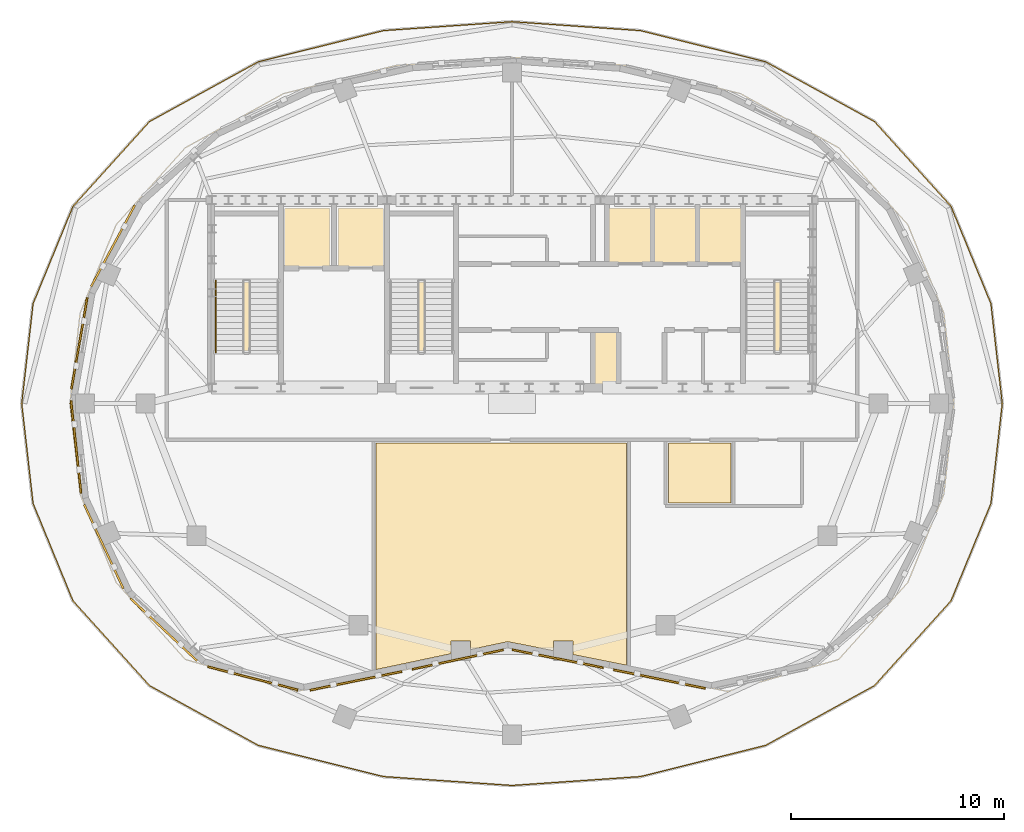
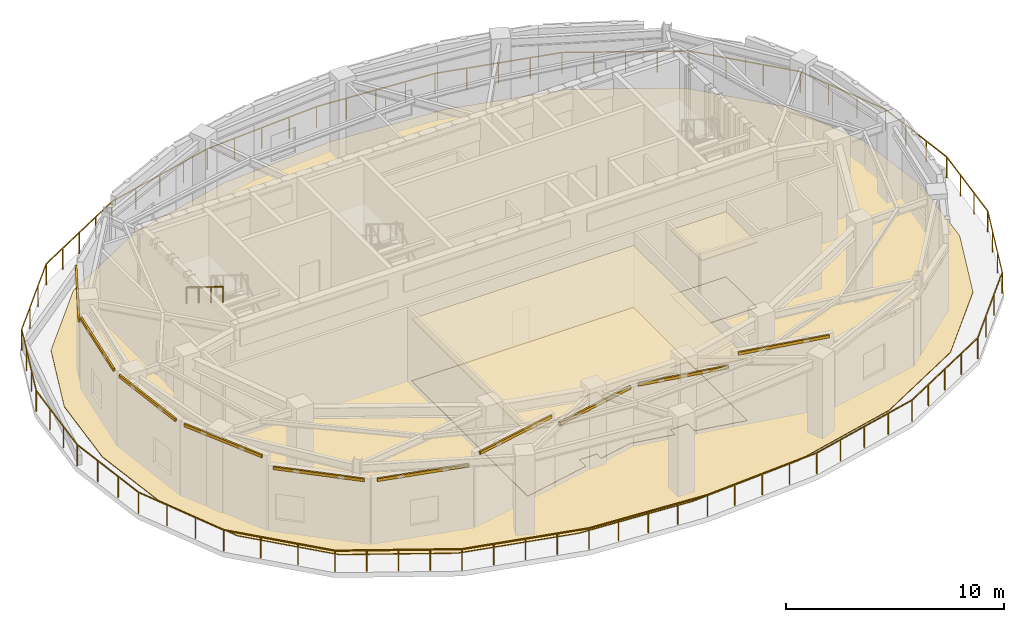
# One storey, part 6 of 8: 15 coverings, 2 railings.
"""IFC4 building model written with IfcOpenShell, lengths in metres."""

from ifc_helpers import new_model, si_unit, direction, frame, origin, origin_2d, place, context, subcontext, project, spatial, polyline, rectangle, outline, extrude, material, layer, layer_set, type_object, element, save


model = new_model("IFC4")

# Units and contexts
model_context = context("Model", 3, precision=1e-05, world=origin(), true_north=direction((0.0, 1.0)))
body_context = subcontext(model_context, "Body", "Model", "MODEL_VIEW")
ifc_project = project(units=[si_unit("LENGTHUNIT", "METRE"), si_unit("AREAUNIT", "SQUARE_METRE"), si_unit("VOLUMEUNIT", "CUBIC_METRE"), si_unit("PLANEANGLEUNIT", "RADIAN"), si_unit("MASSUNIT", "GRAM", prefix="KILO")], contexts=[model_context])

# Site, building, storey
site_placement = place(None, origin())
site = spatial("IfcSite", under=ifc_project, at=site_placement, CompositionType="ELEMENT")
building_placement = place(site_placement, origin())
building = spatial("IfcBuilding", under=site, at=building_placement, Name="Haldorwick Loom Tower", CompositionType="ELEMENT")
storey_placement = place(building_placement, frame((0.0, 0.0, 291.5)))
storey = spatial("IfcBuildingStorey", under=building, at=storey_placement, Name="L78", CompositionType="ELEMENT", Elevation=291.5)

# Coverings
ifc_material_1 = material(Name="Corbelled Pressed Clay Face Brick Veneer", Category="masonry")
ifc_layer_1 = layer(ifc_material_1, 0.090087890625, Name="Corbelled Pressed Clay Face Brick Veneer", Category="masonry")
ifc_layer_set_1 = layer_set([ifc_layer_1], Name="Corbelled Pressed Clay Face Brick Veneer")
covering_type_1 = type_object("IfcCoveringType", Name="ARC-COV-BRICK090", PredefinedType="CLADDING", material=ifc_layer_set_1)
covering_1_placement = place(storey_placement, frame((0.0, 0.0, 3.569091796875)))
element("IfcCovering", 1, at=covering_1_placement, inside=storey, type_object=covering_type_1, Name="L78 Head Face-Brick Lintel Band 11", PredefinedType="CLADDING", context=body_context, shape_type="SweptSolid", body=[
    extrude(outline(polyline([(18.265869140625, 35.324951171875), (16.218017578125, 31.5166015625), (16.297119140625, 31.47412109375), (18.34521484375, 35.2822265625), (18.265869140625, 35.324951171875)])), origin(), (0.0, 0.0, 1.0), 0.159912109375),
])
covering_2_placement = place(storey_placement, frame((0.0, 0.0, 4.06005859375)))
element("IfcCovering", 2, at=covering_2_placement, inside=storey, type_object=covering_type_1, Name="L78 Head Face-Brick Lintel Band 12", PredefinedType="CLADDING", context=body_context, shape_type="SweptSolid", body=[
    extrude(outline(polyline([(16.03271484375, 30.980712890625), (15.28857421875, 26.68994140625), (15.377197265625, 26.674560546875), (16.121337890625, 30.965087890625), (16.03271484375, 30.980712890625)])), origin(), (0.0, 0.0, 1.0), 0.159912109375),
])
covering_3_placement = place(storey_placement, frame((0.0, 0.0, 4.06005859375)))
element("IfcCovering", 3, at=covering_3_placement, inside=storey, type_object=covering_type_1, Name="L78 Head Face-Brick Lintel Band 13", PredefinedType="CLADDING", context=body_context, shape_type="SweptSolid", body=[
    extrude(outline(polyline([(15.2705078125, 26.131103515625), (15.738037109375, 21.78955078125), (15.827392578125, 21.79931640625), (15.360107421875, 26.140625), (15.2705078125, 26.131103515625)])), origin(), (0.0, 0.0, 1.0), 0.159912109375),
])
covering_4_placement = place(storey_placement, frame((0.0, 0.0, 4.06005859375)))
element("IfcCovering", 4, at=covering_4_placement, inside=storey, type_object=covering_type_1, Name="L78 Head Face-Brick Lintel Band 14", PredefinedType="CLADDING", context=body_context, shape_type="SweptSolid", body=[
    extrude(outline(polyline([(15.890380859375, 21.241943359375), (17.727294921875, 17.297607421875), (17.808837890625, 17.335693359375), (15.97216796875, 21.280029296875), (15.890380859375, 21.241943359375)])), origin(), (0.0, 0.0, 1.0), 0.159912109375),
])
covering_5_placement = place(storey_placement, frame((0.0, 0.0, 3.569091796875)))
element("IfcCovering", 5, at=covering_5_placement, inside=storey, type_object=covering_type_1, Name="L78 Head Face-Brick Lintel Band 15", PredefinedType="CLADDING", context=body_context, shape_type="SweptSolid", body=[
    extrude(outline(polyline([(18.066650390625, 16.829345703125), (21.196044921875, 13.898193359375), (21.257568359375, 13.9638671875), (18.128173828125, 16.89501953125), (18.066650390625, 16.829345703125)])), origin(), (0.0, 0.0, 1.0), 0.159912109375),
])
covering_6_placement = place(storey_placement, frame((0.0, 0.0, 3.569091796875)))
element("IfcCovering", 6, at=covering_6_placement, inside=storey, type_object=covering_type_1, Name="L78 Head Face-Brick Lintel Band 16", PredefinedType="CLADDING", context=body_context, shape_type="SweptSolid", body=[
    extrude(outline(polyline([(21.720703125, 13.6103515625), (25.9453125, 12.5263671875), (25.967529296875, 12.613525390625), (21.7431640625, 13.697509765625), (21.720703125, 13.6103515625)])), origin(), (0.0, 0.0, 1.0), 0.159912109375),
])
covering_7_placement = place(storey_placement, frame((0.0, 0.0, 4.06005859375)))
element("IfcCovering", 7, at=covering_7_placement, inside=storey, type_object=covering_type_1, Name="L78 Head Face-Brick Lintel Band 17", PredefinedType="CLADDING", context=body_context, shape_type="SweptSolid", body=[
    extrude(outline(polyline([(26.535400390625, 12.511474609375), (30.84033203125, 13.38818359375), (30.822509765625, 13.4765625), (26.517333984375, 12.599609375), (26.535400390625, 12.511474609375)])), origin(), (0.0, 0.0, 1.0), 0.159912109375),
])
covering_8_placement = place(storey_placement, frame((0.0, 0.0, 3.4189453125)))
element("IfcCovering", 8, at=covering_8_placement, inside=storey, type_object=covering_type_1, Name="L78 Head Face-Brick Lintel Band 18", PredefinedType="CLADDING", context=body_context, shape_type="SweptSolid", body=[
    extrude(outline(polyline([(31.33203125, 13.490966796875), (35.605712890625, 14.40576171875), (35.5869140625, 14.49365234375), (31.313232421875, 13.5791015625), (31.33203125, 13.490966796875)])), origin(), (0.0, 0.0, 1.0), 0.16015625),
])
covering_9_placement = place(storey_placement, frame((0.0, 0.0, 3.4189453125)))
element("IfcCovering", 9, at=covering_9_placement, inside=storey, type_object=covering_type_1, Name="L78 Head Face-Brick Lintel Band 19", PredefinedType="CLADDING", context=body_context, shape_type="SweptSolid", body=[
    extrude(outline(polyline([(36.0029296875, 14.408935546875), (40.272216796875, 13.567626953125), (40.289794921875, 13.656005859375), (36.020263671875, 14.497314453125), (36.0029296875, 14.408935546875)])), origin(), (0.0, 0.0, 1.0), 0.16015625),
])
covering_10_placement = place(storey_placement, frame((0.0, 0.0, 4.06005859375)))
element("IfcCovering", 10, at=covering_10_placement, inside=storey, type_object=covering_type_1, Name="L78 Head Face-Brick Lintel Band 20", PredefinedType="CLADDING", context=body_context, shape_type="SweptSolid", body=[
    extrude(outline(polyline([(40.760986328125, 13.469482421875), (45.064453125, 12.5927734375), (45.08251953125, 12.680908203125), (40.779052734375, 13.557861328125), (40.760986328125, 13.469482421875)])), origin(), (0.0, 0.0, 1.0), 0.159912109375),
])
ifc_material_2 = material(Name="Mineral Fibre Acoustic Ceiling Tile")
ifc_layer_2 = layer(ifc_material_2, 0.054931640625, Name="Mineral Fibre Acoustic Ceiling Tile")
ifc_layer_set_2 = layer_set([ifc_layer_2], Name="Mineral Fibre Acoustic Ceiling Tile")
covering_type_2 = type_object("IfcCoveringType", Name="ARC-COV-CEIL2", PredefinedType="CEILING", material=ifc_layer_set_2)
covering_11_placement = place(storey_placement, frame((0.0, 0.0, 3.468994140625)))
element("IfcCovering", 11, at=covering_11_placement, inside=storey, type_object=covering_type_2, Name="L78 Acoustic Suspended Ceiling 1", PredefinedType="CEILING", context=body_context, shape_type="SweptSolid", body=[
    extrude(outline(polyline([(41.3701171875, 24.159912109375), (29.6298828125, 24.159912109375), (29.6298828125, 13.524658203125), (33.14208984375, 14.26806640625), (33.14208984375, 14.85791015625), (34.05810546875, 14.85791015625), (34.05810546875, 14.4619140625), (35.797119140625, 14.830078125), (35.799072265625, 14.830322265625), (35.801025390625, 14.83056640625), (35.802978515625, 14.830322265625), (35.804931640625, 14.830078125), (37.94189453125, 14.406982421875), (37.94189453125, 14.85791015625), (38.85791015625, 14.85791015625), (38.85791015625, 14.2255859375), (41.3701171875, 13.72802734375), (41.3701171875, 24.159912109375)])), origin(), (0.0, 0.0, 1.0), 0.054931640625),
])
covering_12_placement = place(storey_placement, frame((0.0, 0.0, 3.64501953125)))
element("IfcCovering", 12, at=covering_12_placement, inside=storey, type_object=covering_type_2, Name="L78 Acoustic Suspended Ceiling 2", PredefinedType="CEILING", context=body_context, shape_type="SweptSolid", body=[
    extrude(outline(polyline([(43.330078125, 24.159912109375), (43.330078125, 21.330078125), (46.27001953125, 21.330078125), (46.27001953125, 24.159912109375), (43.330078125, 24.159912109375)])), origin(), (0.0, 0.0, 1.0), 0.054931640625),
])
ifc_material_3 = material(Name="Polished Aggregate Terrazzo Finish")
ifc_layer_3 = layer(ifc_material_3, 0.044921875, Name="Polished Aggregate Terrazzo Finish")
ifc_layer_set_3 = layer_set([ifc_layer_3], Name="Polished Aggregate Terrazzo Finish")
covering_type_3 = type_object("IfcCoveringType", Name="ARC-COV-FLOOR2", PredefinedType="FLOORING", material=ifc_layer_set_3)
covering_13_placement = place(storey_placement, origin())
element("IfcCovering", 13, at=covering_13_placement, inside=storey, type_object=covering_type_3, Name="L78 Floor Finish 1", PredefinedType="FLOORING", context=body_context, shape_type="SweptSolid", body=[
    extrude(outline(polyline([(41.3701171875, 24.159912109375), (29.6298828125, 24.159912109375), (29.6298828125, 13.524658203125), (33.14208984375, 14.26806640625), (33.14208984375, 14.85791015625), (34.05810546875, 14.85791015625), (34.05810546875, 14.4619140625), (35.797119140625, 14.830078125), (35.799072265625, 14.830322265625), (35.801025390625, 14.83056640625), (35.802978515625, 14.830322265625), (35.804931640625, 14.830078125), (37.94189453125, 14.406982421875), (37.94189453125, 14.85791015625), (38.85791015625, 14.85791015625), (38.85791015625, 14.2255859375), (41.3701171875, 13.72802734375), (41.3701171875, 24.159912109375)])), origin(), (0.0, 0.0, 1.0), 0.044921875),
])
covering_14_placement = place(storey_placement, origin())
element("IfcCovering", 14, at=covering_14_placement, inside=storey, type_object=covering_type_3, Name="L78 Floor Finish 2", PredefinedType="FLOORING", context=body_context, shape_type="SweptSolid", body=[
    extrude(outline(polyline([(43.330078125, 24.159912109375), (43.330078125, 21.330078125), (46.27001953125, 21.330078125), (46.27001953125, 24.159912109375), (43.330078125, 24.159912109375)])), origin(), (0.0, 0.0, 1.0), 0.044921875),
])
ifc_material_4 = material(Name="SBS Modified Bitumen Inverted Roof Membrane")
ifc_layer_4 = layer(ifc_material_4, 0.0400390625, Name="SBS Modified Bitumen Inverted Roof Membrane")
ifc_layer_set_4 = layer_set([ifc_layer_4], Name="SBS Modified Bitumen Inverted Roof Membrane")
covering_type_4 = type_object("IfcCoveringType", Name="ARC-COV-ROOFMEM", PredefinedType="ROOFING", material=ifc_layer_set_4)
covering_15_placement = place(storey_placement, origin())
element("IfcCovering", 15, at=covering_15_placement, inside=storey, type_object=covering_type_4, Name="L78 Terrace Inverted Roof Membrane 1", PredefinedType="ROOFING", context=body_context, shape_type="SweptSolid", body=[
    extrude(outline(polyline([(57.671630859375, 26.0), (57.17626953125, 30.35595703125), (55.46142578125, 34.541259765625), (52.176025390625, 38.18115234375), (47.417236328125, 40.79443359375), (41.8232421875, 42.18896484375), (36.001220703125, 42.591796875), (30.179931640625, 42.189453125), (24.587158203125, 40.796142578125), (19.828857421875, 38.184814453125), (16.5419921875, 34.54638671875), (14.824951171875, 30.361083984375), (14.32861328125, 26.002197265625), (14.82373046875, 21.64404296875), (16.53857421875, 17.458740234375), (19.823974609375, 13.81884765625), (24.582763671875, 11.20556640625), (30.1767578125, 9.81103515625), (35.998779296875, 9.408203125), (41.820068359375, 9.810546875), (47.412841796875, 11.203857421875), (52.171142578125, 13.815185546875), (55.4580078125, 17.45361328125), (57.175048828125, 21.638916015625), (57.671630859375, 26.0)])), origin(), (0.0, 0.0, 1.0), 0.0400390625),
])

# Railings
ifc_material_5 = material(Name="Galvanized Steel CSA G40.21 350W", Category="steel")
railing_type_1 = type_object("IfcRailingType", Name="ARC-RLG-BAL120", PredefinedType="BALUSTRADE", material=ifc_material_5)
railing_1_placement = place(storey_placement, frame((12.999755859375, 26.0, 0.0)))
element("IfcRailing", 16, at=railing_1_placement, inside=storey, type_object=railing_type_1, Name="L78 Outdoor Terrace Guardrail SLB-L78-TERR-1-1", PredefinedType="BALUSTRADE", context=body_context, shape_type="SweptSolid", body=[
    extrude(rectangle(XDim=0.048095703125, YDim=0.048095703125, at=origin_2d()), frame((0.0, 0.0, 1.17578125), z_axis=(0.113019943374, 0.993592719579, 0.0), x_axis=(-0.993592719579, 0.113019943374, 0.0)), (0.0, 0.0, 1.0), 4.719970703125),
    extrude(rectangle(XDim=0.048095703125, YDim=0.048095703125, at=origin_2d()), frame((0.533447265625, 4.689697265625, 1.17578125), z_axis=(0.379272000995, 0.925285225896, 0.0), x_axis=(-0.925285225896, 0.379272000995, 0.0)), (0.0, 0.0, 1.0), 4.937255859375),
    extrude(rectangle(XDim=0.048095703125, YDim=0.048095703125, at=origin_2d()), frame((2.406005859375, 9.258056640625, 1.17578125), z_axis=(0.670202846486, 0.742177973644, 0.0), x_axis=(-0.742177973644, 0.670202846486, 0.0)), (0.0, 0.0, 1.0), 5.35595703125),
    extrude(rectangle(XDim=0.048095703125, YDim=0.048095703125, at=origin_2d()), frame((5.99560546875, 13.233154296875, 1.17578125), z_axis=(0.876610458565, 0.481200689873, 0.0), x_axis=(-0.481200689873, 0.876610458565, 0.0)), (0.0, 0.0, 1.0), 5.822509765625),
    extrude(rectangle(XDim=0.048095703125, YDim=0.048095703125, at=origin_2d()), frame((11.099609375, 16.034912109375, 1.17578125), z_axis=(0.970332052773, 0.24177615135, 0.0), x_axis=(-0.24177615135, 0.970332052773, 0.0)), (0.0, 0.0, 1.0), 6.051513671875),
    extrude(rectangle(XDim=0.048095703125, YDim=0.048095703125, at=origin_2d()), frame((16.9716796875, 17.498046875, 1.17578125), z_axis=(0.997616346907, 0.06900452438, 0.0), x_axis=(-0.06900452438, 0.997616346907, 0.0)), (0.0, 0.0, 1.0), 6.04296875),
    extrude(rectangle(XDim=0.048095703125, YDim=0.048095703125, at=origin_2d()), frame((23.000244140625, 17.9150390625, 1.17578125), z_axis=(0.997616346907, -0.06900452438, 0.0), x_axis=(0.06900452438, 0.997616346907, 0.0)), (0.0, 0.0, 1.0), 6.04296875),
    extrude(rectangle(XDim=0.048095703125, YDim=0.048095703125, at=origin_2d()), frame((29.02880859375, 17.498046875, 1.17578125), z_axis=(0.970332052773, -0.24177615135, 0.0), x_axis=(0.24177615135, 0.970332052773, 0.0)), (0.0, 0.0, 1.0), 6.051513671875),
    extrude(rectangle(XDim=0.048095703125, YDim=0.048095703125, at=origin_2d()), frame((34.90087890625, 16.034912109375, 1.17578125), z_axis=(0.876610458565, -0.481200689873, 0.0), x_axis=(0.481200689873, 0.876610458565, 0.0)), (0.0, 0.0, 1.0), 5.822509765625),
    extrude(rectangle(XDim=0.048095703125, YDim=0.048095703125, at=origin_2d()), frame((40.0048828125, 13.233154296875, 1.17578125), z_axis=(0.670202846486, -0.742177973644, 0.0), x_axis=(0.742177973644, 0.670202846486, 0.0)), (0.0, 0.0, 1.0), 5.35595703125),
    extrude(rectangle(XDim=0.048095703125, YDim=0.048095703125, at=origin_2d()), frame((43.594482421875, 9.258056640625, 1.17578125), z_axis=(0.379272000995, -0.925285225896, 0.0), x_axis=(0.925285225896, 0.379272000995, 0.0)), (0.0, 0.0, 1.0), 4.937255859375),
    extrude(rectangle(XDim=0.048095703125, YDim=0.048095703125, at=origin_2d()), frame((45.467041015625, 4.689697265625, 1.17578125), z_axis=(0.113019943374, -0.993592719579, 0.0), x_axis=(0.993592719579, 0.113019943374, 0.0)), (0.0, 0.0, 1.0), 4.719970703125),
    extrude(rectangle(XDim=0.048095703125, YDim=0.048095703125, at=origin_2d()), frame((46.00048828125, 0.0, 1.17578125), z_axis=(-0.113019943374, -0.993592719579, 0.0), x_axis=(0.993592719579, -0.113019943374, 0.0)), (0.0, 0.0, 1.0), 4.719970703125),
    extrude(rectangle(XDim=0.048095703125, YDim=0.048095703125, at=origin_2d()), frame((45.467041015625, -4.689697265625, 1.17578125), z_axis=(-0.379272000995, -0.925285225896, 0.0), x_axis=(0.925285225896, -0.379272000995, 0.0)), (0.0, 0.0, 1.0), 4.937255859375),
    extrude(rectangle(XDim=0.048095703125, YDim=0.048095703125, at=origin_2d()), frame((43.594482421875, -9.258056640625, 1.17578125), z_axis=(-0.670202846486, -0.742177973644, 0.0), x_axis=(0.742177973644, -0.670202846486, 0.0)), (0.0, 0.0, 1.0), 5.35595703125),
    extrude(rectangle(XDim=0.048095703125, YDim=0.048095703125, at=origin_2d()), frame((40.0048828125, -13.233154296875, 1.17578125), z_axis=(-0.876610458565, -0.481200689873, 0.0), x_axis=(0.481200689873, -0.876610458565, 0.0)), (0.0, 0.0, 1.0), 5.822509765625),
    extrude(rectangle(XDim=0.048095703125, YDim=0.048095703125, at=origin_2d()), frame((34.90087890625, -16.034912109375, 1.17578125), z_axis=(-0.970332052773, -0.24177615135, 0.0), x_axis=(0.24177615135, -0.970332052773, 0.0)), (0.0, 0.0, 1.0), 6.051513671875),
    extrude(rectangle(XDim=0.048095703125, YDim=0.048095703125, at=origin_2d()), frame((29.02880859375, -17.498046875, 1.17578125), z_axis=(-0.997616346907, -0.06900452438, 0.0), x_axis=(0.06900452438, -0.997616346907, 0.0)), (0.0, 0.0, 1.0), 6.04296875),
    extrude(rectangle(XDim=0.048095703125, YDim=0.048095703125, at=origin_2d()), frame((23.000244140625, -17.9150390625, 1.17578125), z_axis=(-0.997616346907, 0.06900452438, 0.0), x_axis=(-0.06900452438, -0.997616346907, 0.0)), (0.0, 0.0, 1.0), 6.04296875),
    extrude(rectangle(XDim=0.048095703125, YDim=0.048095703125, at=origin_2d()), frame((16.9716796875, -17.498046875, 1.17578125), z_axis=(-0.970332052773, 0.24177615135, 0.0), x_axis=(-0.24177615135, -0.970332052773, 0.0)), (0.0, 0.0, 1.0), 6.051513671875),
    extrude(rectangle(XDim=0.048095703125, YDim=0.048095703125, at=origin_2d()), frame((11.099609375, -16.034912109375, 1.17578125), z_axis=(-0.876610458565, 0.481200689873, 0.0), x_axis=(-0.481200689873, -0.876610458565, 0.0)), (0.0, 0.0, 1.0), 5.822509765625),
    extrude(rectangle(XDim=0.048095703125, YDim=0.048095703125, at=origin_2d()), frame((5.99560546875, -13.233154296875, 1.17578125), z_axis=(-0.670202846486, 0.742177973644, 0.0), x_axis=(-0.742177973644, -0.670202846486, 0.0)), (0.0, 0.0, 1.0), 5.35595703125),
    extrude(rectangle(XDim=0.048095703125, YDim=0.048095703125, at=origin_2d()), frame((2.406005859375, -9.258056640625, 1.17578125), z_axis=(-0.379272000995, 0.925285225896, 0.0), x_axis=(-0.925285225896, -0.379272000995, 0.0)), (0.0, 0.0, 1.0), 4.937255859375),
    extrude(rectangle(XDim=0.048095703125, YDim=0.048095703125, at=origin_2d()), frame((0.533447265625, -4.689697265625, 1.17578125), z_axis=(-0.113019943374, 0.993592719579, 0.0), x_axis=(-0.993592719579, -0.113019943374, 0.0)), (0.0, 0.0, 1.0), 4.719970703125),
    extrude(rectangle(XDim=0.0419921875, YDim=0.0419921875, at=origin_2d()), origin(), (0.0, 0.0, 1.0), 1.15185546875),
    extrude(rectangle(XDim=0.0419921875, YDim=0.0419921875, at=origin_2d()), frame((0.177734375, 1.563232421875, 0.0)), (0.0, 0.0, 1.0), 1.15185546875),
    extrude(rectangle(XDim=0.0419921875, YDim=0.0419921875, at=origin_2d()), frame((0.355712890625, 3.12646484375, 0.0)), (0.0, 0.0, 1.0), 1.15185546875),
    extrude(rectangle(XDim=0.0419921875, YDim=0.0419921875, at=origin_2d()), frame((0.533447265625, 4.689697265625, 0.0)), (0.0, 0.0, 1.0), 1.15185546875),
    extrude(rectangle(XDim=0.0419921875, YDim=0.0419921875, at=origin_2d()), frame((1.15771484375, 6.21240234375, 0.0)), (0.0, 0.0, 1.0), 1.15185546875),
    extrude(rectangle(XDim=0.0419921875, YDim=0.0419921875, at=origin_2d()), frame((1.78173828125, 7.7353515625, 0.0)), (0.0, 0.0, 1.0), 1.15185546875),
    extrude(rectangle(XDim=0.0419921875, YDim=0.0419921875, at=origin_2d()), frame((2.406005859375, 9.258056640625, 0.0)), (0.0, 0.0, 1.0), 1.15185546875),
    extrude(rectangle(XDim=0.0419921875, YDim=0.0419921875, at=origin_2d()), frame((3.6025390625, 10.5830078125, 0.0)), (0.0, 0.0, 1.0), 1.15185546875),
    extrude(rectangle(XDim=0.0419921875, YDim=0.0419921875, at=origin_2d()), frame((4.799072265625, 11.908203125, 0.0)), (0.0, 0.0, 1.0), 1.15185546875),
    extrude(rectangle(XDim=0.0419921875, YDim=0.0419921875, at=origin_2d()), frame((5.99560546875, 13.233154296875, 0.0)), (0.0, 0.0, 1.0), 1.15185546875),
    extrude(rectangle(XDim=0.0419921875, YDim=0.0419921875, at=origin_2d()), frame((7.271484375, 13.93359375, 0.0)), (0.0, 0.0, 1.0), 1.15185546875),
    extrude(rectangle(XDim=0.0419921875, YDim=0.0419921875, at=origin_2d()), frame((8.547607421875, 14.634033203125, 0.0)), (0.0, 0.0, 1.0), 1.15185546875),
    extrude(rectangle(XDim=0.0419921875, YDim=0.0419921875, at=origin_2d()), frame((9.82373046875, 15.33447265625, 0.0)), (0.0, 0.0, 1.0), 1.15185546875),
    extrude(rectangle(XDim=0.0419921875, YDim=0.0419921875, at=origin_2d()), frame((11.099609375, 16.034912109375, 0.0)), (0.0, 0.0, 1.0), 1.15185546875),
    extrude(rectangle(XDim=0.0419921875, YDim=0.0419921875, at=origin_2d()), frame((12.567626953125, 16.400634765625, 0.0)), (0.0, 0.0, 1.0), 1.15185546875),
    extrude(rectangle(XDim=0.0419921875, YDim=0.0419921875, at=origin_2d()), frame((14.03564453125, 16.7666015625, 0.0)), (0.0, 0.0, 1.0), 1.15185546875),
    extrude(rectangle(XDim=0.0419921875, YDim=0.0419921875, at=origin_2d()), frame((15.503662109375, 17.13232421875, 0.0)), (0.0, 0.0, 1.0), 1.15185546875),
    extrude(rectangle(XDim=0.0419921875, YDim=0.0419921875, at=origin_2d()), frame((16.9716796875, 17.498046875, 0.0)), (0.0, 0.0, 1.0), 1.15185546875),
    extrude(rectangle(XDim=0.0419921875, YDim=0.0419921875, at=origin_2d()), frame((18.478759765625, 17.602294921875, 0.0)), (0.0, 0.0, 1.0), 1.15185546875),
    extrude(rectangle(XDim=0.0419921875, YDim=0.0419921875, at=origin_2d()), frame((19.98583984375, 17.70654296875, 0.0)), (0.0, 0.0, 1.0), 1.15185546875),
    extrude(rectangle(XDim=0.0419921875, YDim=0.0419921875, at=origin_2d()), frame((21.4931640625, 17.810791015625, 0.0)), (0.0, 0.0, 1.0), 1.15185546875),
    extrude(rectangle(XDim=0.0419921875, YDim=0.0419921875, at=origin_2d()), frame((23.000244140625, 17.9150390625, 0.0)), (0.0, 0.0, 1.0), 1.15185546875),
    extrude(rectangle(XDim=0.0419921875, YDim=0.0419921875, at=origin_2d()), frame((24.50732421875, 17.810791015625, 0.0)), (0.0, 0.0, 1.0), 1.15185546875),
    extrude(rectangle(XDim=0.0419921875, YDim=0.0419921875, at=origin_2d()), frame((26.0146484375, 17.70654296875, 0.0)), (0.0, 0.0, 1.0), 1.15185546875),
    extrude(rectangle(XDim=0.0419921875, YDim=0.0419921875, at=origin_2d()), frame((27.521728515625, 17.602294921875, 0.0)), (0.0, 0.0, 1.0), 1.15185546875),
    extrude(rectangle(XDim=0.0419921875, YDim=0.0419921875, at=origin_2d()), frame((29.02880859375, 17.498046875, 0.0)), (0.0, 0.0, 1.0), 1.15185546875),
    extrude(rectangle(XDim=0.0419921875, YDim=0.0419921875, at=origin_2d()), frame((30.496826171875, 17.13232421875, 0.0)), (0.0, 0.0, 1.0), 1.15185546875),
    extrude(rectangle(XDim=0.0419921875, YDim=0.0419921875, at=origin_2d()), frame((31.96484375, 16.7666015625, 0.0)), (0.0, 0.0, 1.0), 1.15185546875),
    extrude(rectangle(XDim=0.0419921875, YDim=0.0419921875, at=origin_2d()), frame((33.432861328125, 16.400634765625, 0.0)), (0.0, 0.0, 1.0), 1.15185546875),
    extrude(rectangle(XDim=0.0419921875, YDim=0.0419921875, at=origin_2d()), frame((34.90087890625, 16.034912109375, 0.0)), (0.0, 0.0, 1.0), 1.15185546875),
    extrude(rectangle(XDim=0.0419921875, YDim=0.0419921875, at=origin_2d()), frame((36.1767578125, 15.33447265625, 0.0)), (0.0, 0.0, 1.0), 1.15185546875),
    extrude(rectangle(XDim=0.0419921875, YDim=0.0419921875, at=origin_2d()), frame((37.452880859375, 14.634033203125, 0.0)), (0.0, 0.0, 1.0), 1.15185546875),
    extrude(rectangle(XDim=0.0419921875, YDim=0.0419921875, at=origin_2d()), frame((38.72900390625, 13.93359375, 0.0)), (0.0, 0.0, 1.0), 1.15185546875),
    extrude(rectangle(XDim=0.0419921875, YDim=0.0419921875, at=origin_2d()), frame((40.0048828125, 13.233154296875, 0.0)), (0.0, 0.0, 1.0), 1.15185546875),
    extrude(rectangle(XDim=0.0419921875, YDim=0.0419921875, at=origin_2d()), frame((41.201416015625, 11.908203125, 0.0)), (0.0, 0.0, 1.0), 1.15185546875),
    extrude(rectangle(XDim=0.0419921875, YDim=0.0419921875, at=origin_2d()), frame((42.39794921875, 10.5830078125, 0.0)), (0.0, 0.0, 1.0), 1.15185546875),
    extrude(rectangle(XDim=0.0419921875, YDim=0.0419921875, at=origin_2d()), frame((43.594482421875, 9.258056640625, 0.0)), (0.0, 0.0, 1.0), 1.15185546875),
    extrude(rectangle(XDim=0.0419921875, YDim=0.0419921875, at=origin_2d()), frame((44.21875, 7.7353515625, 0.0)), (0.0, 0.0, 1.0), 1.15185546875),
    extrude(rectangle(XDim=0.0419921875, YDim=0.0419921875, at=origin_2d()), frame((44.8427734375, 6.21240234375, 0.0)), (0.0, 0.0, 1.0), 1.15185546875),
    extrude(rectangle(XDim=0.0419921875, YDim=0.0419921875, at=origin_2d()), frame((45.467041015625, 4.689697265625, 0.0)), (0.0, 0.0, 1.0), 1.15185546875),
    extrude(rectangle(XDim=0.0419921875, YDim=0.0419921875, at=origin_2d()), frame((45.644775390625, 3.12646484375, 0.0)), (0.0, 0.0, 1.0), 1.15185546875),
    extrude(rectangle(XDim=0.0419921875, YDim=0.0419921875, at=origin_2d()), frame((45.82275390625, 1.563232421875, 0.0)), (0.0, 0.0, 1.0), 1.15185546875),
    extrude(rectangle(XDim=0.0419921875, YDim=0.0419921875, at=origin_2d()), frame((46.00048828125, 0.0, 0.0)), (0.0, 0.0, 1.0), 1.15185546875),
    extrude(rectangle(XDim=0.0419921875, YDim=0.0419921875, at=origin_2d()), frame((45.82275390625, -1.563232421875, 0.0)), (0.0, 0.0, 1.0), 1.15185546875),
    extrude(rectangle(XDim=0.0419921875, YDim=0.0419921875, at=origin_2d()), frame((45.644775390625, -3.12646484375, 0.0)), (0.0, 0.0, 1.0), 1.15185546875),
    extrude(rectangle(XDim=0.0419921875, YDim=0.0419921875, at=origin_2d()), frame((45.467041015625, -4.689697265625, 0.0)), (0.0, 0.0, 1.0), 1.15185546875),
    extrude(rectangle(XDim=0.0419921875, YDim=0.0419921875, at=origin_2d()), frame((44.8427734375, -6.21240234375, 0.0)), (0.0, 0.0, 1.0), 1.15185546875),
    extrude(rectangle(XDim=0.0419921875, YDim=0.0419921875, at=origin_2d()), frame((44.21875, -7.7353515625, 0.0)), (0.0, 0.0, 1.0), 1.15185546875),
    extrude(rectangle(XDim=0.0419921875, YDim=0.0419921875, at=origin_2d()), frame((43.594482421875, -9.258056640625, 0.0)), (0.0, 0.0, 1.0), 1.15185546875),
    extrude(rectangle(XDim=0.0419921875, YDim=0.0419921875, at=origin_2d()), frame((42.39794921875, -10.5830078125, 0.0)), (0.0, 0.0, 1.0), 1.15185546875),
    extrude(rectangle(XDim=0.0419921875, YDim=0.0419921875, at=origin_2d()), frame((41.201416015625, -11.908203125, 0.0)), (0.0, 0.0, 1.0), 1.15185546875),
    extrude(rectangle(XDim=0.0419921875, YDim=0.0419921875, at=origin_2d()), frame((40.0048828125, -13.233154296875, 0.0)), (0.0, 0.0, 1.0), 1.15185546875),
    extrude(rectangle(XDim=0.0419921875, YDim=0.0419921875, at=origin_2d()), frame((38.72900390625, -13.93359375, 0.0)), (0.0, 0.0, 1.0), 1.15185546875),
    extrude(rectangle(XDim=0.0419921875, YDim=0.0419921875, at=origin_2d()), frame((37.452880859375, -14.634033203125, 0.0)), (0.0, 0.0, 1.0), 1.15185546875),
    extrude(rectangle(XDim=0.0419921875, YDim=0.0419921875, at=origin_2d()), frame((36.1767578125, -15.33447265625, 0.0)), (0.0, 0.0, 1.0), 1.15185546875),
    extrude(rectangle(XDim=0.0419921875, YDim=0.0419921875, at=origin_2d()), frame((34.90087890625, -16.034912109375, 0.0)), (0.0, 0.0, 1.0), 1.15185546875),
    extrude(rectangle(XDim=0.0419921875, YDim=0.0419921875, at=origin_2d()), frame((33.432861328125, -16.400634765625, 0.0)), (0.0, 0.0, 1.0), 1.15185546875),
    extrude(rectangle(XDim=0.0419921875, YDim=0.0419921875, at=origin_2d()), frame((31.96484375, -16.7666015625, 0.0)), (0.0, 0.0, 1.0), 1.15185546875),
    extrude(rectangle(XDim=0.0419921875, YDim=0.0419921875, at=origin_2d()), frame((30.496826171875, -17.13232421875, 0.0)), (0.0, 0.0, 1.0), 1.15185546875),
    extrude(rectangle(XDim=0.0419921875, YDim=0.0419921875, at=origin_2d()), frame((29.02880859375, -17.498046875, 0.0)), (0.0, 0.0, 1.0), 1.15185546875),
    extrude(rectangle(XDim=0.0419921875, YDim=0.0419921875, at=origin_2d()), frame((27.521728515625, -17.602294921875, 0.0)), (0.0, 0.0, 1.0), 1.15185546875),
    extrude(rectangle(XDim=0.0419921875, YDim=0.0419921875, at=origin_2d()), frame((26.0146484375, -17.70654296875, 0.0)), (0.0, 0.0, 1.0), 1.15185546875),
    extrude(rectangle(XDim=0.0419921875, YDim=0.0419921875, at=origin_2d()), frame((24.50732421875, -17.810791015625, 0.0)), (0.0, 0.0, 1.0), 1.15185546875),
    extrude(rectangle(XDim=0.0419921875, YDim=0.0419921875, at=origin_2d()), frame((23.000244140625, -17.9150390625, 0.0)), (0.0, 0.0, 1.0), 1.15185546875),
    extrude(rectangle(XDim=0.0419921875, YDim=0.0419921875, at=origin_2d()), frame((21.4931640625, -17.810791015625, 0.0)), (0.0, 0.0, 1.0), 1.15185546875),
    extrude(rectangle(XDim=0.0419921875, YDim=0.0419921875, at=origin_2d()), frame((19.98583984375, -17.70654296875, 0.0)), (0.0, 0.0, 1.0), 1.15185546875),
    extrude(rectangle(XDim=0.0419921875, YDim=0.0419921875, at=origin_2d()), frame((18.478759765625, -17.602294921875, 0.0)), (0.0, 0.0, 1.0), 1.15185546875),
    extrude(rectangle(XDim=0.0419921875, YDim=0.0419921875, at=origin_2d()), frame((16.9716796875, -17.498046875, 0.0)), (0.0, 0.0, 1.0), 1.15185546875),
    extrude(rectangle(XDim=0.0419921875, YDim=0.0419921875, at=origin_2d()), frame((15.503662109375, -17.13232421875, 0.0)), (0.0, 0.0, 1.0), 1.15185546875),
    extrude(rectangle(XDim=0.0419921875, YDim=0.0419921875, at=origin_2d()), frame((14.03564453125, -16.7666015625, 0.0)), (0.0, 0.0, 1.0), 1.15185546875),
    extrude(rectangle(XDim=0.0419921875, YDim=0.0419921875, at=origin_2d()), frame((12.567626953125, -16.400634765625, 0.0)), (0.0, 0.0, 1.0), 1.15185546875),
    extrude(rectangle(XDim=0.0419921875, YDim=0.0419921875, at=origin_2d()), frame((11.099609375, -16.034912109375, 0.0)), (0.0, 0.0, 1.0), 1.15185546875),
    extrude(rectangle(XDim=0.0419921875, YDim=0.0419921875, at=origin_2d()), frame((9.82373046875, -15.33447265625, 0.0)), (0.0, 0.0, 1.0), 1.15185546875),
    extrude(rectangle(XDim=0.0419921875, YDim=0.0419921875, at=origin_2d()), frame((8.547607421875, -14.634033203125, 0.0)), (0.0, 0.0, 1.0), 1.15185546875),
    extrude(rectangle(XDim=0.0419921875, YDim=0.0419921875, at=origin_2d()), frame((7.271484375, -13.93359375, 0.0)), (0.0, 0.0, 1.0), 1.15185546875),
    extrude(rectangle(XDim=0.0419921875, YDim=0.0419921875, at=origin_2d()), frame((5.99560546875, -13.233154296875, 0.0)), (0.0, 0.0, 1.0), 1.15185546875),
    extrude(rectangle(XDim=0.0419921875, YDim=0.0419921875, at=origin_2d()), frame((4.799072265625, -11.908203125, 0.0)), (0.0, 0.0, 1.0), 1.15185546875),
    extrude(rectangle(XDim=0.0419921875, YDim=0.0419921875, at=origin_2d()), frame((3.6025390625, -10.5830078125, 0.0)), (0.0, 0.0, 1.0), 1.15185546875),
    extrude(rectangle(XDim=0.0419921875, YDim=0.0419921875, at=origin_2d()), frame((2.406005859375, -9.258056640625, 0.0)), (0.0, 0.0, 1.0), 1.15185546875),
    extrude(rectangle(XDim=0.0419921875, YDim=0.0419921875, at=origin_2d()), frame((1.78173828125, -7.7353515625, 0.0)), (0.0, 0.0, 1.0), 1.15185546875),
    extrude(rectangle(XDim=0.0419921875, YDim=0.0419921875, at=origin_2d()), frame((1.15771484375, -6.21240234375, 0.0)), (0.0, 0.0, 1.0), 1.15185546875),
    extrude(rectangle(XDim=0.0419921875, YDim=0.0419921875, at=origin_2d()), frame((0.533447265625, -4.689697265625, 0.0)), (0.0, 0.0, 1.0), 1.15185546875),
    extrude(rectangle(XDim=0.0419921875, YDim=0.0419921875, at=origin_2d()), frame((0.355712890625, -3.12646484375, 0.0)), (0.0, 0.0, 1.0), 1.15185546875),
    extrude(rectangle(XDim=0.0419921875, YDim=0.0419921875, at=origin_2d()), frame((0.177734375, -1.563232421875, 0.0)), (0.0, 0.0, 1.0), 1.15185546875),
])
ifc_material_6 = material(Name="Steel CSA G40.21 350W", Category="steel")
railing_type_2 = type_object("IfcRailingType", Name="ARC-RLG-HAND092", PredefinedType="HANDRAIL", material=ifc_material_6)
railing_2_placement = place(storey_placement, frame((22.10009765625, 31.760009765625, 2.423095703125)))
element("IfcRailing", 17, at=railing_2_placement, inside=storey, type_object=railing_type_2, Name="L78 ST-01 stair handrail 2", PredefinedType="HANDRAIL", context=body_context, shape_type="SweptSolid", body=[
    extrude(rectangle(XDim=0.048095703125, YDim=0.048095703125, at=origin_2d()), frame((0.0, 0.0, 0.8759765625), z_axis=(0.0, -0.850623216509, 0.525775754039), x_axis=(1.0, 0.0, 0.0)), (0.0, 0.0, 1.0), 3.9501953125),
    extrude(rectangle(XDim=0.0419921875, YDim=0.0419921875, at=origin_2d()), origin(), (0.0, 0.0, 1.0), 0.851806640625),
    extrude(rectangle(XDim=0.0419921875, YDim=0.0419921875, at=origin_2d()), frame((0.0, -1.1201171875, 0.6923828125)), (0.0, 0.0, 1.0), 0.851806640625),
    extrude(rectangle(XDim=0.0419921875, YDim=0.0419921875, at=origin_2d()), frame((0.0, -2.239990234375, 1.384521484375)), (0.0, 0.0, 1.0), 0.851806640625),
    extrude(rectangle(XDim=0.0419921875, YDim=0.0419921875, at=origin_2d()), frame((0.0, -3.360107421875, 2.076904296875)), (0.0, 0.0, 1.0), 0.851806640625),
])

save(model, "model.ifc")
